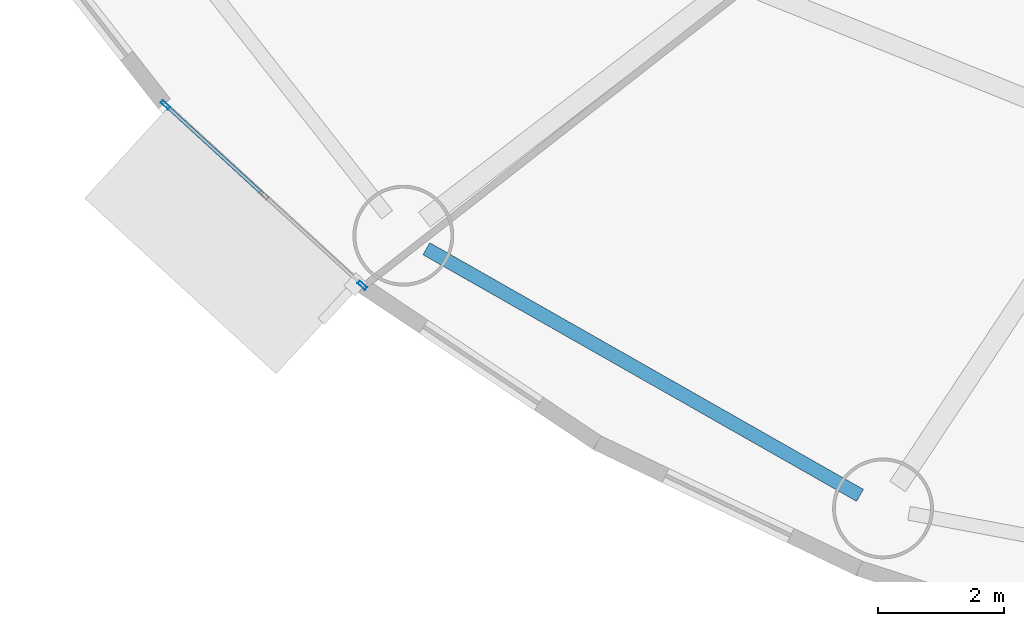
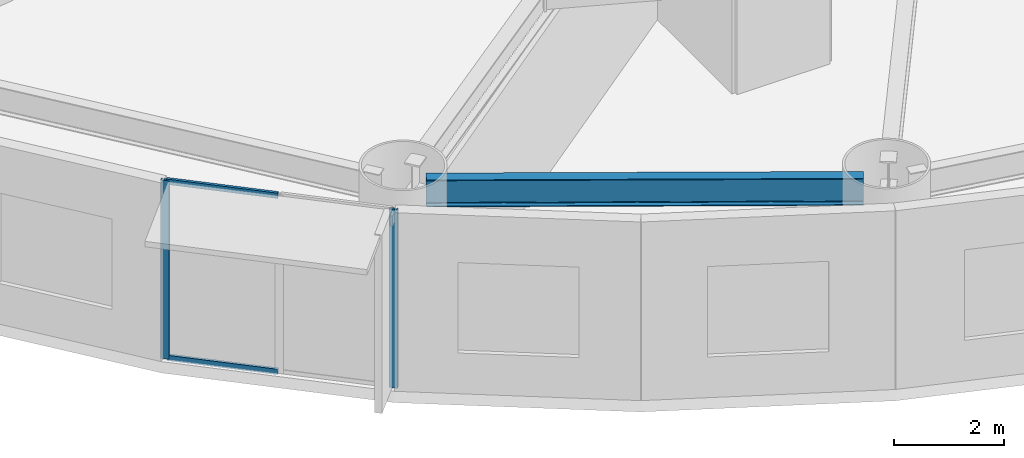
# One storey, part 4 of 35: 4 members, 1 beam, 1 element without a shape of its own.
"""IFC4 building model written with IfcOpenShell, lengths in metres."""

import ifcopenshell
import ifcopenshell.guid

model = None  # the IFC model being written
_history = None  # IfcOwnerHistory: only IFC2X3 demands one
_inside = {}  # id of a spatial element -> (the spatial element, [elements in it])
_under = {}  # id of a project, library or spatial element -> (it, [spatial elements below it])
_declared = {}  # id of a project -> (the project, [libraries it declares])
_typed = {}  # id of a type object -> (the type object, [elements of that type])
_made_of = {}  # id of a material, layer set ... -> (it, [elements and type objects made of it])


def new_model(schema):
    """Start an empty IFC model of exactly this schema.

    Asked for "IFC4X3", IfcOpenShell would pick the latest addendum, in which some entities
    have other attributes; the version numbers below select the first issue.
    IFC2X3 requires an IfcOwnerHistory on every rooted entity: one is made here for all.
    """
    global model, _history
    if schema == "IFC4X3":
        model = ifcopenshell.file(schema_version=(4, 3, 0, 0))
    else:
        model = ifcopenshell.file(schema=schema)
    _inside.clear()
    _under.clear()
    _declared.clear()
    _typed.clear()
    _made_of.clear()
    _history = None
    if model.schema == "IFC2X3":
        org = make("IfcOrganization", Name="unknown")
        user = make(
            "IfcPersonAndOrganization",
            ThePerson=make("IfcPerson", FamilyName="unknown"),
            TheOrganization=org,
        )
        app = make(
            "IfcApplication",
            ApplicationDeveloper=org,
            Version="unknown",
            ApplicationFullName="unknown",
            ApplicationIdentifier="unknown",
        )
        _history = make(
            "IfcOwnerHistory",
            OwningUser=user,
            OwningApplication=app,
            ChangeAction="ADDED",
            CreationDate=0,
        )
    return model


def make(cls, **values):
    """One entity of the class cls with the attributes given. An attribute that is None is left unset."""
    return model.create_entity(
        cls, **{name: value for name, value in values.items() if value is not None}
    )


def rooted(cls, **values):
    """An entity with a GlobalId (a new one), such as an element, a storey or a relation."""
    return make(cls, GlobalId=ifcopenshell.guid.new(), OwnerHistory=_history, **values)


def si_unit(unit_type, name, prefix=None):
    """IfcSIUnit, for example si_unit("LENGTHUNIT", "METRE", prefix="MILLI")."""
    return make("IfcSIUnit", UnitType=unit_type, Prefix=prefix, Name=name)


def assignment(units):
    """IfcUnitAssignment: the units of a project."""
    return None if units is None else make("IfcUnitAssignment", Units=units)


def point(xyz):
    """IfcCartesianPoint."""
    return None if xyz is None else make("IfcCartesianPoint", Coordinates=xyz)


def direction(xyz):
    """IfcDirection."""
    return None if xyz is None else make("IfcDirection", DirectionRatios=xyz)


def frame(location, z_axis=None, x_axis=None):
    """IfcAxis2Placement3D, a coordinate frame: its origin and axes. An axis left out is left unset."""
    return make(
        "IfcAxis2Placement3D",
        Location=point(location),
        Axis=direction(z_axis),
        RefDirection=direction(x_axis),
    )


def frame_2d(location, x_axis=None):
    """IfcAxis2Placement2D, a coordinate frame in the plane: its origin and x axis."""
    return make(
        "IfcAxis2Placement2D", Location=point(location), RefDirection=direction(x_axis)
    )


def origin():
    """The frame at (0, 0, 0) with its axes left unset."""
    return frame((0.0, 0.0, 0.0))


def origin_2d():
    """The frame at (0, 0) in the plane with its x axis left unset."""
    return frame_2d((0.0, 0.0))


def place(relative_to, where):
    """IfcLocalPlacement: puts the frame where relative to a parent placement (None: the world)."""
    return make(
        "IfcLocalPlacement", PlacementRelTo=relative_to, RelativePlacement=where
    )


def context(
    kind, dimensions, precision=None, world=None, true_north=None, identifier=None
):
    """IfcGeometricRepresentationContext, for example the 3D "Model" context."""
    return make(
        "IfcGeometricRepresentationContext",
        ContextIdentifier=identifier,
        ContextType=kind,
        CoordinateSpaceDimension=dimensions,
        Precision=precision,
        WorldCoordinateSystem=world,
        TrueNorth=true_north,
    )


def subcontext(parent, identifier, kind, view, scale=None):
    """IfcGeometricRepresentationSubContext, for example "Body" below "Model"."""
    return make(
        "IfcGeometricRepresentationSubContext",
        ContextIdentifier=identifier,
        ContextType=kind,
        ParentContext=parent,
        TargetScale=scale,
        TargetView=view,
    )


def project(units=None, contexts=None):
    """IfcProject with its units and contexts."""
    return rooted(
        "IfcProject",
        Name="project",
        RepresentationContexts=contexts,
        UnitsInContext=assignment(units),
    )


def spatial(cls, under=None, at=None, **own):
    """A site, building, storey or space (cls), placed at a placement, below another one or the project."""
    s = rooted(cls, ObjectPlacement=at, **own)
    if under is not None:
        _under.setdefault(under.id(), (under, []))[1].append(s)
    return s


def profile(cls, at=None, kind="AREA", **sizes):
    """A parametric profile (cls). Its sizes go by their IFC names, for example OverallWidth=200.0."""
    return make(cls, ProfileType=kind, Position=at, **sizes)


def hollow_rectangle(**sizes):
    """IfcRectangleHollowProfileDef."""
    return profile("IfcRectangleHollowProfileDef", **sizes)


def i_section(**sizes):
    """IfcIShapeProfileDef."""
    return profile("IfcIShapeProfileDef", **sizes)


def extrude(swept, where, along, depth):
    """IfcExtrudedAreaSolid: the profile swept, set in the frame where, extruded along a direction by depth."""
    return make(
        "IfcExtrudedAreaSolid",
        SweptArea=swept,
        Position=where,
        ExtrudedDirection=direction(along),
        Depth=depth,
    )


def shape(context_of_items, identifier, shape_type, items):
    """IfcShapeRepresentation: the items that make up one representation, for example the "Body"."""
    return make(
        "IfcShapeRepresentation",
        ContextOfItems=context_of_items,
        RepresentationIdentifier=identifier,
        RepresentationType=shape_type,
        Items=items,
    )


def source(mapping_origin, context_of_items, identifier, shape_type, items):
    """IfcRepresentationMap: a shape defined once, which mapped items show again and again."""
    return make(
        "IfcRepresentationMap",
        MappingOrigin=mapping_origin,
        MappedRepresentation=shape(context_of_items, identifier, shape_type, items),
    )


def transform(
    local_origin,
    x_axis=None,
    y_axis=None,
    z_axis=None,
    scale=None,
    scale2=None,
    scale3=None,
    uniform=True,
):
    """IfcCartesianTransformationOperator3D, or its non-uniform kind. x_axis, y_axis, z_axis: its Axis1, 2, 3."""
    if uniform:
        return make(
            "IfcCartesianTransformationOperator3D",
            Axis1=direction(x_axis),
            Axis2=direction(y_axis),
            LocalOrigin=point(local_origin),
            Scale=scale,
            Axis3=direction(z_axis),
        )
    return make(
        "IfcCartesianTransformationOperator3DnonUniform",
        Axis1=direction(x_axis),
        Axis2=direction(y_axis),
        LocalOrigin=point(local_origin),
        Scale=scale,
        Axis3=direction(z_axis),
        Scale2=scale2,
        Scale3=scale3,
    )


def mapped(mapping_source, mapping_target):
    """IfcMappedItem: shows the shape of a source again, moved by a transform."""
    return make(
        "IfcMappedItem", MappingSource=mapping_source, MappingTarget=mapping_target
    )


def material(Name=None, Category=None):
    """IfcMaterial."""
    return make("IfcMaterial", Name=Name, Category=Category)


def layer(
    of_material, thickness, ventilated=None, Name=None, Category=None, Priority=None
):
    """IfcMaterialLayer: one layer of a wall or slab, of a material (None: an air gap)."""
    return make(
        "IfcMaterialLayer",
        Material=of_material,
        LayerThickness=thickness,
        IsVentilated=ventilated,
        Name=Name,
        Category=Category,
        Priority=Priority,
    )


def layer_set(layers, Name=None):
    """IfcMaterialLayerSet."""
    return make("IfcMaterialLayerSet", MaterialLayers=layers, LayerSetName=Name)


def material_profile(
    of_material, cross_section, Name=None, Category=None, Priority=None
):
    """IfcMaterialProfile: a cross section and its material."""
    return make(
        "IfcMaterialProfile",
        Name=Name,
        Material=of_material,
        Profile=cross_section,
        Priority=Priority,
        Category=Category,
    )


def profile_set(profiles, Name=None, composite=None):
    """IfcMaterialProfileSet."""
    return make(
        "IfcMaterialProfileSet",
        Name=Name,
        MaterialProfiles=profiles,
        CompositeProfile=composite,
    )


def made_of(thing, what):
    """Note that an element or type object is made of a material, layer set ...; save() writes the relation."""
    if what is not None:
        _made_of.setdefault(what.id(), (what, []))[1].append(thing)
    return thing


def type_object(cls, material=None, **own):
    """A type object (cls), such as IfcWallType, which elements share."""
    return made_of(rooted(cls, **own), material)


def element(
    cls,
    number,
    at=None,
    inside=None,
    cuts=None,
    type_object=None,
    material=None,
    context=None,
    identifier="Body",
    shape_type=None,
    held_by="IfcProductDefinitionShape",
    body=None,
    shapes=None,
    **own,
):
    """One element of the class cls, such as IfcWall. Its Tag is "e" and its number.

    at: its placement. inside: the storey or other place that contains it. cuts: it is an
    opening in that element (IfcRelVoidsElement). A single representation is given by context,
    identifier, shape_type and body (its items); several are given by shapes. held_by: the class
    of the entity that holds the representations. save() writes the other relations.
    """
    e = rooted(cls, Tag="e%d" % number, ObjectPlacement=at, **own)
    if body is not None:
        shapes = [shape(context, identifier, shape_type, body)]
    if shapes is not None:
        e.Representation = make(held_by, Representations=shapes)
    if inside is not None:
        _inside.setdefault(inside.id(), (inside, []))[1].append(e)
    if cuts is not None:
        rooted(
            "IfcRelVoidsElement", RelatingBuildingElement=cuts, RelatedOpeningElement=e
        )
    if type_object is not None:
        _typed.setdefault(type_object.id(), (type_object, []))[1].append(e)
    return made_of(e, material)


def aggregate(whole, parts):
    """IfcRelAggregates: a whole, such as a stair, and the parts it consists of."""
    return rooted("IfcRelAggregates", RelatingObject=whole, RelatedObjects=parts)


def save(model, path):
    """Write the relations noted so far, then the file.

    IfcRelAggregates (storeys below a building ...), IfcRelContainedInSpatialStructure (elements
    in a storey), IfcRelDefinesByType, IfcRelAssociatesMaterial and IfcRelDeclares: one each for
    every whole, place, type object, material and project.
    """
    for whole, parts in _under.values():
        aggregate(whole, parts)
    for where, things in _inside.values():
        rooted(
            "IfcRelContainedInSpatialStructure",
            RelatedElements=things,
            RelatingStructure=where,
        )
    for kind, things in _typed.values():
        rooted("IfcRelDefinesByType", RelatedObjects=things, RelatingType=kind)
    for what, things in _made_of.values():
        rooted("IfcRelAssociatesMaterial", RelatedObjects=things, RelatingMaterial=what)
    for by, libraries in _declared.values():
        rooted("IfcRelDeclares", RelatingContext=by, RelatedDefinitions=libraries)
    model.write(path)


model = new_model("IFC4")

# Units and contexts
model_context = context("Model", 3, precision=1e-05, world=origin(), true_north=direction((0.0, 1.0)))
body_context = subcontext(model_context, "Body", "Model", "MODEL_VIEW")
ifc_project = project(units=[si_unit("LENGTHUNIT", "METRE"), si_unit("AREAUNIT", "SQUARE_METRE"), si_unit("VOLUMEUNIT", "CUBIC_METRE"), si_unit("PLANEANGLEUNIT", "RADIAN"), si_unit("MASSUNIT", "GRAM", prefix="KILO")], contexts=[model_context])

# Site, building, storey
site_placement = place(None, origin())
site = spatial("IfcSite", under=ifc_project, at=site_placement, CompositionType="ELEMENT")
building_placement = place(site_placement, origin())
building = spatial("IfcBuilding", under=site, at=building_placement, Name="Linh Dai School and Residence Tower", CompositionType="ELEMENT")
storey_placement = place(building_placement, frame((0.0, 0.0, 49.199951171875)))
storey = spatial("IfcBuildingStorey", under=building, at=storey_placement, Name="L11", CompositionType="ELEMENT", Elevation=49.199951171875)

# Beam
ifc_material_1 = material(Name="Structural Steel S355JR", Category="steel")
ifc_material_profile_1 = material_profile(ifc_material_1, i_section(OverallWidth=0.219970703125, OverallDepth=0.60009765625, WebThickness=0.011962890625, FlangeThickness=0.01904296875, FilletRadius=0.02392578125, at=origin_2d()), Name="IPE 600")
ifc_profile_set_1 = profile_set([ifc_material_profile_1], Name="Structural Steel S355JR")
beam_type = type_object("IfcBeamType", Name="BM-RB60", PredefinedType="BEAM", material=ifc_profile_set_1)
beam_placement = place(storey_placement, frame((15.012451171875, 10.42333984375, 3.650146484375), z_axis=(0.869271416992, -0.494335112653, 0.0), x_axis=(0.494335112653, 0.869271416992, 0.0)))
element("IfcBeam", 1, at=beam_placement, inside=storey, type_object=beam_type, Name="L11 Perimeter Elliptical Ring Beam 11", PredefinedType="BEAM", context=body_context, shape_type="SweptSolid", body=[
    extrude(i_section(OverallWidth=0.219970703125, OverallDepth=0.60009765625, WebThickness=0.011962890625, FlangeThickness=0.01904296875, FilletRadius=0.02392578125, at=origin_2d()), origin(), (0.0, 0.0, 1.0), 7.91943359375),
])

# Curtain wall, members
ifc_material_2 = material(Name="Aluminium Anodised Curtain Wall", Category="aluminium")
ifc_layer = layer(ifc_material_2, 0.159912109375)
ifc_layer_set = layer_set([ifc_layer], Name="Aluminium Anodised Curtain Wall")
curtain_wall_type = type_object("IfcCurtainWallType", Name="CW-SYS-3", PredefinedType="USERDEFINED", material=ifc_layer_set)
curtain_wall_placement = place(storey_placement, origin())
curtain_wall = element("IfcCurtainWall", 2, at=curtain_wall_placement, inside=storey, type_object=curtain_wall_type, Name="L11 CW3 Curtain Wall 25", ObjectType="RIBBON CURTAIN WALL", PredefinedType="USERDEFINED")
ifc_material_3 = material(Name="Aluminium Alloy 6063-T6", Category="aluminium")
ifc_material_profile_2 = material_profile(ifc_material_3, hollow_rectangle(XDim=0.054931640625, YDim=0.1201171875, WallThickness=0.00390625, at=origin_2d()), Name="RHS 120x55x4")
ifc_profile_set_2 = profile_set([ifc_material_profile_2], Name="Aluminium Alloy 6063-T6")
member_type_1 = type_object("IfcMemberType", Name="CW-SYS-3-TRN", PredefinedType="USERDEFINED", material=ifc_profile_set_2)
shared_shape_1 = source(origin(), body_context, "Body", "SweptSolid", [
    extrude(hollow_rectangle(XDim=0.054931640625, YDim=0.1201171875, WallThickness=0.00390625, at=origin_2d()), origin(), (0.0, 0.0, 1.0), 2.064453125),
])
member_1_placement = place(storey_placement, frame((12.41259765625, 11.293212890625, 0.027587890625), z_axis=(-0.737129594686, 0.675751404466, 0.0), x_axis=(-0.675751404466, -0.737129594686, 0.0)))
member_1 = element("IfcMember", 3, at=member_1_placement, type_object=member_type_1, Name="CW3 transom 2.1", ObjectType="TRANSOM", PredefinedType="USERDEFINED", context=body_context, shape_type="MappedRepresentation", body=[
    mapped(shared_shape_1, transform((0.0, 0.0, 0.0), x_axis=(1.0, 0.0, 0.0), y_axis=(0.0, 1.0, 0.0), z_axis=(0.0, 0.0, 1.0), scale=1.0)),
])
member_2_placement = place(storey_placement, frame((12.41259765625, 11.293212890625, 3.922607421875), z_axis=(-0.737129594686, 0.675751404466, 0.0), x_axis=(-0.675751404466, -0.737129594686, 0.0)))
member_2 = element("IfcMember", 4, at=member_2_placement, type_object=member_type_1, Name="CW3 transom 2.2", ObjectType="TRANSOM", PredefinedType="USERDEFINED", context=body_context, shape_type="MappedRepresentation", body=[
    mapped(shared_shape_1, transform((0.0, 0.0, 0.0), x_axis=(1.0, 0.0, 0.0), y_axis=(0.0, 1.0, 0.0), z_axis=(0.0, 0.0, 1.0), scale=1.0)),
])
ifc_material_profile_3 = material_profile(ifc_material_3, hollow_rectangle(XDim=0.054931640625, YDim=0.159912109375, WallThickness=0.00390625, at=origin_2d()), Name="RHS 160x55x4")
ifc_profile_set_3 = profile_set([ifc_material_profile_3], Name="Aluminium Alloy 6063-T6")
member_type_2 = type_object("IfcMemberType", Name="CW-SYS-3-MUL", PredefinedType="MULLION", material=ifc_profile_set_3)
shared_shape_2 = source(origin(), body_context, "Body", "SweptSolid", [
    extrude(hollow_rectangle(XDim=0.054931640625, YDim=0.159912109375, WallThickness=0.00390625, at=origin_2d()), origin(), (0.0, 0.0, 1.0), 3.949951171875),
])
member_3_placement = place(storey_placement, frame((13.9951171875, 9.84228515625, 0.0), z_axis=(0.0, 0.0, 1.0), x_axis=(-0.675769237268, -0.737113246362, 0.0)))
member_3 = element("IfcMember", 5, at=member_3_placement, type_object=member_type_2, Name="CW3 mullion 1", PredefinedType="MULLION", context=body_context, shape_type="MappedRepresentation", body=[
    mapped(shared_shape_2, transform((0.0, 0.0, 0.0), x_axis=(1.0, 0.0, 0.0), y_axis=(0.0, 1.0, 0.0), z_axis=(0.0, 0.0, 1.0), scale=1.0)),
])
member_4_placement = place(storey_placement, frame((10.87060546875, 12.706787109375, 0.0), z_axis=(0.0, 0.0, 1.0), x_axis=(-0.675769237268, -0.737113246362, 0.0)))
member_4 = element("IfcMember", 6, at=member_4_placement, type_object=member_type_2, Name="CW3 mullion 3", PredefinedType="MULLION", context=body_context, shape_type="MappedRepresentation", body=[
    mapped(shared_shape_2, transform((0.0, 0.0, 0.0), x_axis=(1.0, 0.0, 0.0), y_axis=(0.0, 1.0, 0.0), z_axis=(0.0, 0.0, 1.0), scale=1.0)),
])
aggregate(curtain_wall, [member_3, member_4, member_1, member_2])

save(model, "model.ifc")
